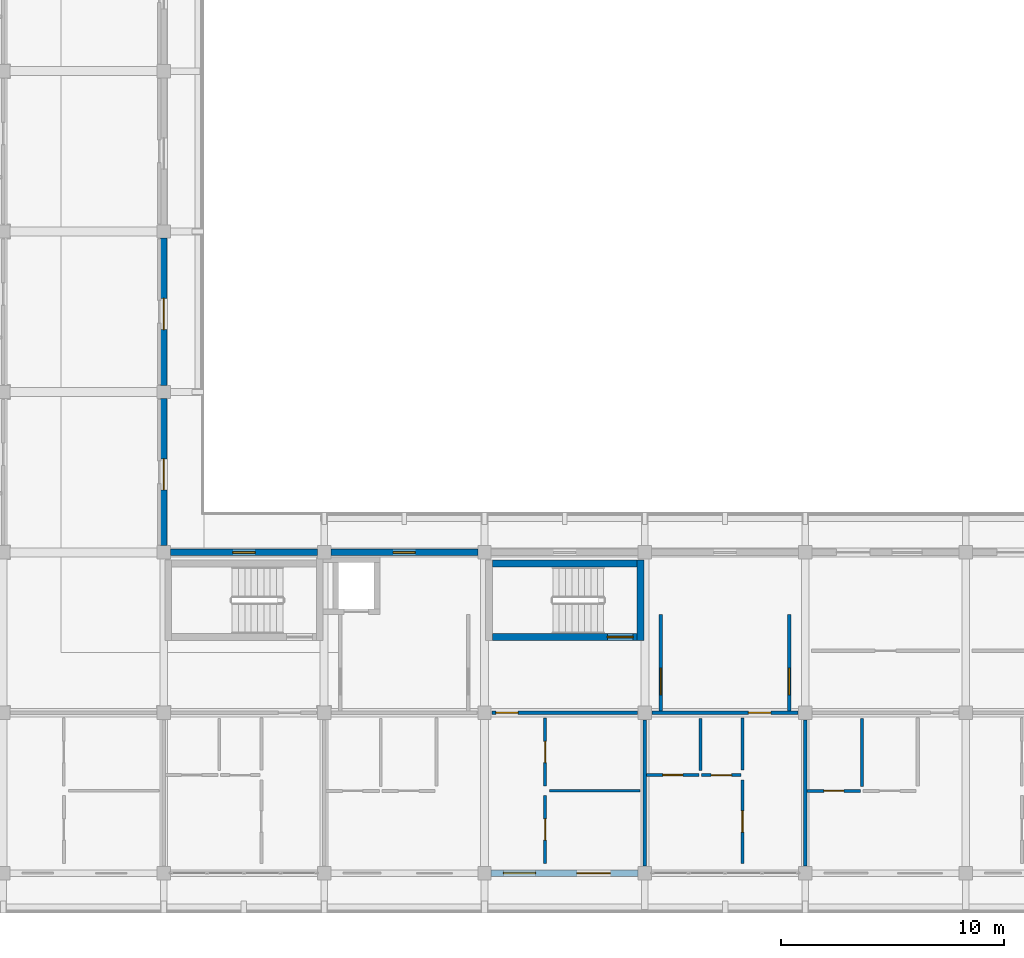
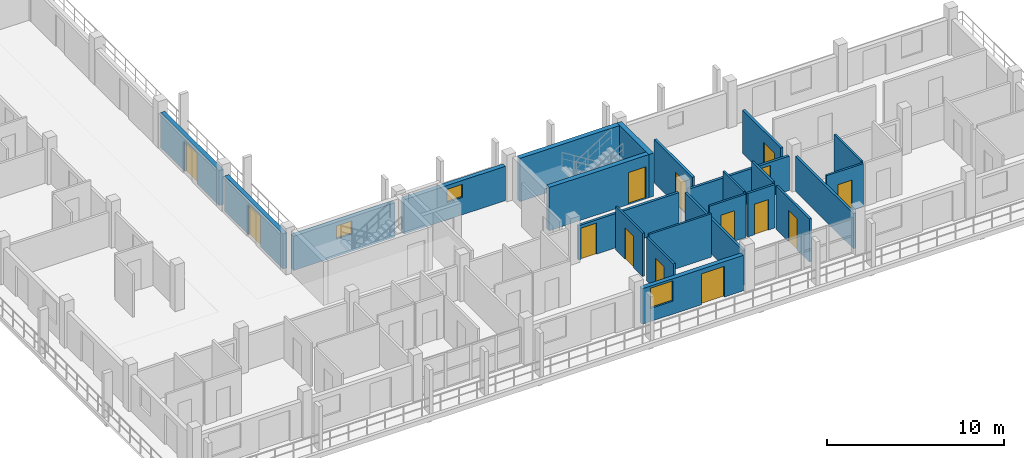
# One storey, part 40 of 76: 24 walls, 14 doors, 3 windows, 17 openings.
"""IFC4 building model written with IfcOpenShell, lengths in metres."""

from ifc_helpers import new_model, si_unit, direction, frame, frame_2d, origin, place, context, subcontext, project, spatial, rectangle, extrude, material, layer, layer_set, type_object, element, fill, save


model = new_model("IFC4")

# Units and contexts
model_context = context("Model", 3, precision=1e-05, world=origin(), true_north=direction((0.0, 1.0)))
body_context = subcontext(model_context, "Body", "Model", "MODEL_VIEW")
ifc_project = project(units=[si_unit("LENGTHUNIT", "METRE"), si_unit("AREAUNIT", "SQUARE_METRE"), si_unit("VOLUMEUNIT", "CUBIC_METRE"), si_unit("PLANEANGLEUNIT", "RADIAN"), si_unit("MASSUNIT", "GRAM", prefix="KILO")], contexts=[model_context])

# Site, building, storey
site_placement = place(None, origin())
site = spatial("IfcSite", under=ifc_project, at=site_placement, CompositionType="ELEMENT")
building_placement = place(site_placement, origin())
building = spatial("IfcBuilding", under=site, at=building_placement, Name="Suanplinth Sawtooth Commons", CompositionType="ELEMENT")
storey_placement = place(building_placement, frame((0.0, 0.0, 12.199951171875)))
storey = spatial("IfcBuildingStorey", under=building, at=storey_placement, Name="L03", CompositionType="ELEMENT", Elevation=12.199951171875)

# Wall, opening, door
ifc_material_1 = material(Name="Concrete C40/50", Category="concrete")
ifc_layer_1 = layer(ifc_material_1, 0.300048828125, Name="Standard RC stair and lift core wall 300mm")
ifc_layer_set_1 = layer_set([ifc_layer_1], Name="Concrete C40/50")
wall_type_1 = type_object("IfcWallType", Name="W-CR02", PredefinedType="SHEAR", material=ifc_layer_set_1)
wall_1_placement = place(storey_placement, frame((29.14990234375, 10.60009765625, 0.0), z_axis=(0.0, 0.0, 1.0), x_axis=(1.0, 0.0, 0.0)))
wall_1 = element("IfcWall", 1, at=wall_1_placement, inside=storey, type_object=wall_type_1, Name="W-L03-C-D2-STS", PredefinedType="SHEAR", context=body_context, shape_type="SweptSolid", body=[
    extrude(rectangle(XDim=6.5, YDim=0.300048828125, at=frame_2d((3.25, 0.0))), origin(), (0.0, 0.0, 1.0), 2.97998046875),
])
opening_1_placement = place(wall_1_placement, frame((5.169921875, 0.0, 0.0)))
opening_1 = element("IfcOpeningElement", 2, at=opening_1_placement, cuts=wall_1, Name="Opening FD0409", PredefinedType="OPENING", context=body_context, shape_type="SweptSolid", body=[
    extrude(rectangle(XDim=1.14990234375, YDim=2.199951171875, at=frame_2d((0.574951171875, 1.10009765625))), frame((0.0, 0.1650390625, 0.0), z_axis=(0.0, -1.0, 0.0), x_axis=(1.0, 0.0, 0.0)), (0.0, 0.0, 1.0), 0.329833984375),
])
ifc_material_2 = material(Name="Teak hardwood fire-rated door assembly", Category="wood")
door_type_1 = type_object("IfcDoorType", Name="FD-01", OperationType="NOTDEFINED", PredefinedType="DOOR", material=ifc_material_2)
door_1_placement = place(opening_1_placement, origin())
door_1 = element("IfcDoor", 3, at=door_1_placement, inside=storey, type_object=door_type_1, Name="Exit Stair Fire Door FD0409", OperationType="SINGLE_SWING_RIGHT", OverallHeight=2.199951171875, OverallWidth=1.14990234375, PredefinedType="DOOR", context=body_context, shape_type="SweptSolid", body=[
    extrude(rectangle(XDim=1.14990234375, YDim=2.199951171875, at=frame_2d((0.574951171875, 1.10009765625))), frame((0.0, 0.02490234375, 0.0), z_axis=(0.0, -1.0, 0.0), x_axis=(1.0, 0.0, 0.0)), (0.0, 0.0, 1.0), 0.050048828125),
])
fill(opening_1, door_1)

# Walls
wall_2_placement = place(storey_placement, frame((29.14990234375, 13.89990234375, 0.0), z_axis=(0.0, 0.0, 1.0), x_axis=(1.0, 0.0, 0.0)))
element("IfcWall", 4, at=wall_2_placement, inside=storey, type_object=wall_type_1, Name="W-L03-C-D2-STN", PredefinedType="SHEAR", context=body_context, shape_type="SweptSolid", body=[
    extrude(rectangle(XDim=6.5, YDim=0.300048828125, at=frame_2d((3.25, 0.0))), origin(), (0.0, 0.0, 1.0), 2.97998046875),
])
wall_3_placement = place(storey_placement, frame((35.800048828125, 10.449951171875, 0.0), z_axis=(0.0, 0.0, 1.0), x_axis=(0.0, 1.0, 0.0)))
element("IfcWall", 5, at=wall_3_placement, inside=storey, type_object=wall_type_1, Name="W-L03-C-D2-STE", PredefinedType="SHEAR", context=body_context, shape_type="SweptSolid", body=[
    extrude(rectangle(XDim=3.60009765625, YDim=0.300048828125, at=frame_2d((1.800048828125, 0.0))), origin(), (0.0, 0.0, 1.0), 2.97998046875),
])

# Wall, opening, door
ifc_material_3 = material(Name="Precast concrete C40/50", Category="concrete")
ifc_layer_2 = layer(ifc_material_3, 0.280029296875, Name="Insulated precast architectural facade wall 280mm")
ifc_layer_set_2 = layer_set([ifc_layer_2], Name="Precast concrete C40/50")
wall_type_2 = type_object("IfcWallType", Name="W-EX01", PredefinedType="ELEMENTEDWALL", material=ifc_layer_set_2)
wall_4_placement = place(storey_placement, frame((14.39990234375, 14.699951171875, 0.0), z_axis=(0.0, 0.0, 1.0), x_axis=(0.0, 1.0, 0.0)))
wall_4 = element("IfcWall", 6, at=wall_4_placement, inside=storey, type_object=wall_type_2, Name="Facade Wall W-L03-D-E-1-2", PredefinedType="ELEMENTEDWALL", context=body_context, shape_type="SweptSolid", body=[
    extrude(rectangle(XDim=6.60009765625, YDim=0.280029296875, at=frame_2d((3.300048828125, 0.0))), origin(), (0.0, 0.0, 1.0), 2.4150390625),
])
opening_2_placement = place(wall_4_placement, frame((2.5, 0.0, 0.0)))
opening_2 = element("IfcOpeningElement", 7, at=opening_2_placement, cuts=wall_4, Name="Opening ED0298", PredefinedType="OPENING", context=body_context, shape_type="SweptSolid", body=[
    extrude(rectangle(XDim=1.39990234375, YDim=2.10009765625, at=frame_2d((0.699951171875, 1.050048828125))), frame((0.0, 0.15478515625, 0.0), z_axis=(0.0, -1.0, 0.0), x_axis=(1.0, 0.0, 0.0)), (0.0, 0.0, 1.0), 0.309814453125),
])
ifc_material_4 = material(Name="Anodized aluminium and low-E glass", Category="aluminium")
door_type_2 = type_object("IfcDoorType", Name="SD-07", OperationType="SLIDING_TO_RIGHT", PredefinedType="DOOR", material=ifc_material_4)
door_2_placement = place(opening_2_placement, frame((1.39990234375, 0.0, 0.0), z_axis=(0.0, 0.0, 1.0), x_axis=(-1.0, 0.0, 0.0)))
door_2 = element("IfcDoor", 8, at=door_2_placement, inside=storey, type_object=door_type_2, Name="Courtyard Veranda Studio Balcony Door L03-D-2", OperationType="SLIDING_TO_RIGHT", OverallHeight=2.10009765625, OverallWidth=1.39990234375, PredefinedType="DOOR", context=body_context, shape_type="SweptSolid", body=[
    extrude(rectangle(XDim=1.39990234375, YDim=2.10009765625, at=frame_2d((0.699951171875, 1.050048828125))), frame((0.0, 0.02490234375, 0.0), z_axis=(0.0, -1.0, 0.0), x_axis=(1.0, 0.0, 0.0)), (0.0, 0.0, 1.0), 0.050048828125),
])
fill(opening_2, door_2)

wall_5_placement = place(storey_placement, frame((14.39990234375, 21.89990234375, 0.0), z_axis=(0.0, 0.0, 1.0), x_axis=(0.0, 1.0, 0.0)))
wall_5 = element("IfcWall", 9, at=wall_5_placement, inside=storey, type_object=wall_type_2, Name="Facade Wall W-L03-D-E-1-3", PredefinedType="ELEMENTEDWALL", context=body_context, shape_type="SweptSolid", body=[
    extrude(rectangle(XDim=6.60009765625, YDim=0.280029296875, at=frame_2d((3.300048828125, 0.0))), origin(), (0.0, 0.0, 1.0), 2.4150390625),
])
opening_3_placement = place(wall_5_placement, frame((2.5, 0.0, 0.0)))
opening_3 = element("IfcOpeningElement", 10, at=opening_3_placement, cuts=wall_5, Name="Opening ED0299", PredefinedType="OPENING", context=body_context, shape_type="SweptSolid", body=[
    extrude(rectangle(XDim=1.39990234375, YDim=2.10009765625, at=frame_2d((0.699951171875, 1.050048828125))), frame((0.0, 0.15478515625, 0.0), z_axis=(0.0, -1.0, 0.0), x_axis=(1.0, 0.0, 0.0)), (0.0, 0.0, 1.0), 0.309814453125),
])
door_3_placement = place(opening_3_placement, frame((1.39990234375, 0.0, 0.0), z_axis=(0.0, 0.0, 1.0), x_axis=(-1.0, 0.0, 0.0)))
door_3 = element("IfcDoor", 11, at=door_3_placement, inside=storey, type_object=door_type_2, Name="Courtyard Veranda Studio Balcony Door L03-D-3", OperationType="SLIDING_TO_RIGHT", OverallHeight=2.10009765625, OverallWidth=1.39990234375, PredefinedType="DOOR", context=body_context, shape_type="SweptSolid", body=[
    extrude(rectangle(XDim=1.39990234375, YDim=2.10009765625, at=frame_2d((0.699951171875, 1.050048828125))), frame((0.0, 0.02490234375, 0.0), z_axis=(0.0, -1.0, 0.0), x_axis=(1.0, 0.0, 0.0)), (0.0, 0.0, 1.0), 0.050048828125),
])
fill(opening_3, door_3)

# Wall, opening, window
wall_6_placement = place(storey_placement, frame((14.699951171875, 14.39990234375, 0.0), z_axis=(0.0, 0.0, 1.0), x_axis=(1.0, 0.0, 0.0)))
wall_6 = element("IfcWall", 12, at=wall_6_placement, inside=storey, type_object=wall_type_2, Name="Facade Wall W-L03-D-N-2-1", PredefinedType="ELEMENTEDWALL", context=body_context, shape_type="SweptSolid", body=[
    extrude(rectangle(XDim=6.60009765625, YDim=0.280029296875, at=frame_2d((3.300048828125, 0.0))), origin(), (0.0, 0.0, 1.0), 2.364990234375),
])
opening_4_placement = place(wall_6_placement, frame((2.800048828125, 0.0, 1.199951171875)))
opening_4 = element("IfcOpeningElement", 13, at=opening_4_placement, cuts=wall_6, Name="Opening W0402", PredefinedType="OPENING", context=body_context, shape_type="SweptSolid", body=[
    extrude(rectangle(XDim=1.0, YDim=0.89990234375, at=frame_2d((0.5, 0.449951171875))), frame((0.0, 0.15478515625, 0.0), z_axis=(0.0, -1.0, 0.0), x_axis=(1.0, 0.0, 0.0)), (0.0, 0.0, 1.0), 0.309814453125),
])
ifc_material_5 = material(Name="Thermally broken aluminium and low-E double glazing", Category="aluminium")
window_type_1 = type_object("IfcWindowType", Name="WN-12", PartitioningType="SINGLE_PANEL", PredefinedType="WINDOW", material=ifc_material_5)
window_1_placement = place(opening_4_placement, origin())
window_1 = element("IfcWindow", 14, at=window_1_placement, inside=storey, type_object=window_type_1, Name="Core Daylight Window L03-D-2-1", OverallHeight=0.89990234375, OverallWidth=1.0, PartitioningType="SINGLE_PANEL", PredefinedType="WINDOW", context=body_context, shape_type="SweptSolid", body=[
    extrude(rectangle(XDim=1.0, YDim=0.89990234375, at=frame_2d((0.5, 0.449951171875))), frame((0.0, 0.030029296875, 0.0), z_axis=(0.0, -1.0, 0.0), x_axis=(1.0, 0.0, 0.0)), (0.0, 0.0, 1.0), 0.06005859375),
])
fill(opening_4, window_1)

wall_7_placement = place(storey_placement, frame((21.89990234375, 14.39990234375, 0.0), z_axis=(0.0, 0.0, 1.0), x_axis=(1.0, 0.0, 0.0)))
wall_7 = element("IfcWall", 15, at=wall_7_placement, inside=storey, type_object=wall_type_2, Name="Facade Wall W-L03-D-N-3-1", PredefinedType="ELEMENTEDWALL", context=body_context, shape_type="SweptSolid", body=[
    extrude(rectangle(XDim=6.60009765625, YDim=0.280029296875, at=frame_2d((3.300048828125, 0.0))), origin(), (0.0, 0.0, 1.0), 2.364990234375),
])
opening_5_placement = place(wall_7_placement, frame((2.800048828125, 0.0, 1.199951171875)))
opening_5 = element("IfcOpeningElement", 16, at=opening_5_placement, cuts=wall_7, Name="Opening W0404", PredefinedType="OPENING", context=body_context, shape_type="SweptSolid", body=[
    extrude(rectangle(XDim=1.0, YDim=0.89990234375, at=frame_2d((0.5, 0.449951171875))), frame((0.0, 0.15478515625, 0.0), z_axis=(0.0, -1.0, 0.0), x_axis=(1.0, 0.0, 0.0)), (0.0, 0.0, 1.0), 0.309814453125),
])
window_2_placement = place(opening_5_placement, origin())
window_2 = element("IfcWindow", 17, at=window_2_placement, inside=storey, type_object=window_type_1, Name="Core Daylight Window L03-D-3-1", OverallHeight=0.89990234375, OverallWidth=1.0, PartitioningType="SINGLE_PANEL", PredefinedType="WINDOW", context=body_context, shape_type="SweptSolid", body=[
    extrude(rectangle(XDim=1.0, YDim=0.89990234375, at=frame_2d((0.5, 0.449951171875))), frame((0.0, 0.030029296875, 0.0), z_axis=(0.0, -1.0, 0.0), x_axis=(1.0, 0.0, 0.0)), (0.0, 0.0, 1.0), 0.06005859375),
])
fill(opening_5, window_2)

# Wall, openings, door, window
wall_8_placement = place(storey_placement, frame((29.10009765625, 0.0, 0.0), z_axis=(0.0, 0.0, 1.0), x_axis=(1.0, 0.0, 0.0)))
wall_8 = element("IfcWall", 18, at=wall_8_placement, inside=storey, type_object=wall_type_2, Name="Facade Wall W-L03-D-S-4-0", PredefinedType="ELEMENTEDWALL", context=body_context, shape_type="SweptSolid", body=[
    extrude(rectangle(XDim=6.599853515625, YDim=0.280029296875, at=frame_2d((3.2998046875, 0.0))), origin(), (0.0, 0.0, 1.0), 2.445068359375),
])
opening_6_placement = place(wall_8_placement, frame((3.85009765625, 0.0, 0.0)))
opening_6 = element("IfcOpeningElement", 19, at=opening_6_placement, cuts=wall_8, Name="Opening ED0303", PredefinedType="OPENING", context=body_context, shape_type="SweptSolid", body=[
    extrude(rectangle(XDim=1.5, YDim=2.1201171875, at=frame_2d((0.75, 1.06005859375))), frame((0.0, 0.15478515625, 0.0), z_axis=(0.0, -1.0, 0.0), x_axis=(1.0, 0.0, 0.0)), (0.0, 0.0, 1.0), 0.309814453125),
])
opening_7_placement = place(wall_8_placement, frame((0.550048828125, 0.0, 0.89990234375)))
opening_7 = element("IfcOpeningElement", 20, at=opening_7_placement, cuts=wall_8, Name="Opening W0405", PredefinedType="OPENING", context=body_context, shape_type="SweptSolid", body=[
    extrude(rectangle(XDim=1.449951171875, YDim=1.39990234375, at=frame_2d((0.72509765625, 0.699951171875))), frame((0.0, 0.15478515625, 0.0), z_axis=(0.0, -1.0, 0.0), x_axis=(1.0, 0.0, 0.0)), (0.0, 0.0, 1.0), 0.309814453125),
])
door_type_3 = type_object("IfcDoorType", Name="SD-03", OperationType="SLIDING_TO_LEFT", PredefinedType="DOOR", material=ifc_material_4)
door_4_placement = place(opening_6_placement, frame((1.5, 0.0, 0.0), z_axis=(0.0, 0.0, 1.0), x_axis=(-1.0, 0.0, 0.0)))
door_4 = element("IfcDoor", 21, at=door_4_placement, inside=storey, type_object=door_type_3, Name="Balcony Sliding Door L03-D-4", OperationType="SLIDING_TO_LEFT", OverallHeight=2.1201171875, OverallWidth=1.5, PredefinedType="DOOR", context=body_context, shape_type="SweptSolid", body=[
    extrude(rectangle(XDim=1.5, YDim=2.1201171875, at=frame_2d((0.75, 1.06005859375))), frame((0.0, 0.02490234375, 0.0), z_axis=(0.0, -1.0, 0.0), x_axis=(1.0, 0.0, 0.0)), (0.0, 0.0, 1.0), 0.050048828125),
])
fill(opening_6, door_4)
window_type_2 = type_object("IfcWindowType", Name="WN-16", PartitioningType="DOUBLE_PANEL_VERTICAL", PredefinedType="WINDOW", material=ifc_material_5)
window_3_placement = place(opening_7_placement, origin())
window_3 = element("IfcWindow", 22, at=window_3_placement, inside=storey, type_object=window_type_2, Name="Apartment Window L03-D-4", OverallHeight=1.39990234375, OverallWidth=1.449951171875, PartitioningType="DOUBLE_PANEL_VERTICAL", PredefinedType="WINDOW", context=body_context, shape_type="SweptSolid", body=[
    extrude(rectangle(XDim=1.449951171875, YDim=1.39990234375, at=frame_2d((0.72509765625, 0.699951171875))), frame((0.0, 0.030029296875, 0.0), z_axis=(0.0, -1.0, 0.0), x_axis=(1.0, 0.0, 0.0)), (0.0, 0.0, 1.0), 0.06005859375),
])
fill(opening_7, window_3)

# Wall, opening, door
ifc_layer_3 = layer(ifc_material_3, 0.159912109375, Name="Fire-rated corridor and lobby wall 160mm")
ifc_layer_set_3 = layer_set([ifc_layer_3], Name="Precast concrete C40/50")
wall_type_3 = type_object("IfcWallType", Name="W-FW01", PredefinedType="PARTITIONING", material=ifc_layer_set_3)
wall_9_placement = place(storey_placement, frame((36.719970703125, 7.280029296875, 0.0), z_axis=(0.0, 0.0, 1.0), x_axis=(0.0, 1.0, 0.0)))
wall_9 = element("IfcWall", 23, at=wall_9_placement, inside=storey, type_object=wall_type_3, Name="W-L03-C-D2-LOB-W", PredefinedType="PARTITIONING", context=body_context, shape_type="SweptSolid", body=[
    extrude(rectangle(XDim=4.320068359375, YDim=0.159912109375, at=frame_2d((2.16015625, 0.0))), origin(), (0.0, 0.0, 1.0), 2.97998046875),
])
opening_8_placement = place(wall_9_placement, frame((0.719970703125, 0.0, 0.0)))
opening_8 = element("IfcOpeningElement", 24, at=opening_8_placement, cuts=wall_9, Name="Opening FD0410", PredefinedType="OPENING", context=body_context, shape_type="SweptSolid", body=[
    extrude(rectangle(XDim=1.199951171875, YDim=2.199951171875, at=frame_2d((0.60009765625, 1.10009765625))), frame((0.0, 0.0947265625, 0.0), z_axis=(0.0, -1.0, 0.0), x_axis=(1.0, 0.0, 0.0)), (0.0, 0.0, 1.0), 0.189697265625),
])
door_type_4 = type_object("IfcDoorType", Name="FD-02", OperationType="NOTDEFINED", PredefinedType="DOOR", material=ifc_material_2)
door_5_placement = place(opening_8_placement, origin())
door_5 = element("IfcDoor", 25, at=door_5_placement, inside=storey, type_object=door_type_4, Name="Lobby Fire Door FD0410", OperationType="SINGLE_SWING_LEFT", OverallHeight=2.199951171875, OverallWidth=1.199951171875, PredefinedType="DOOR", context=body_context, shape_type="SweptSolid", body=[
    extrude(rectangle(XDim=1.199951171875, YDim=2.199951171875, at=frame_2d((0.60009765625, 1.10009765625))), frame((0.0, 0.02490234375, 0.0), z_axis=(0.0, -1.0, 0.0), x_axis=(1.0, 0.0, 0.0)), (0.0, 0.0, 1.0), 0.050048828125),
])
fill(opening_8, door_5)

wall_10_placement = place(storey_placement, frame((42.47998046875, 7.280029296875, 0.0), z_axis=(0.0, 0.0, 1.0), x_axis=(0.0, 1.0, 0.0)))
wall_10 = element("IfcWall", 26, at=wall_10_placement, inside=storey, type_object=wall_type_3, Name="W-L03-C-D2-LOB-E", PredefinedType="PARTITIONING", context=body_context, shape_type="SweptSolid", body=[
    extrude(rectangle(XDim=4.320068359375, YDim=0.159912109375, at=frame_2d((2.16015625, 0.0))), origin(), (0.0, 0.0, 1.0), 2.97998046875),
])
opening_9_placement = place(wall_10_placement, frame((0.719970703125, 0.0, 0.0)))
opening_9 = element("IfcOpeningElement", 27, at=opening_9_placement, cuts=wall_10, Name="Opening FD0411", PredefinedType="OPENING", context=body_context, shape_type="SweptSolid", body=[
    extrude(rectangle(XDim=1.199951171875, YDim=2.199951171875, at=frame_2d((0.60009765625, 1.10009765625))), frame((0.0, 0.0947265625, 0.0), z_axis=(0.0, -1.0, 0.0), x_axis=(1.0, 0.0, 0.0)), (0.0, 0.0, 1.0), 0.189697265625),
])
door_6_placement = place(opening_9_placement, frame((1.199951171875, 0.0, 0.0), z_axis=(0.0, 0.0, 1.0), x_axis=(-1.0, 0.0, 0.0)))
door_6 = element("IfcDoor", 28, at=door_6_placement, inside=storey, type_object=door_type_4, Name="Lobby Fire Door FD0411", OperationType="SINGLE_SWING_RIGHT", OverallHeight=2.199951171875, OverallWidth=1.199951171875, PredefinedType="DOOR", context=body_context, shape_type="SweptSolid", body=[
    extrude(rectangle(XDim=1.199951171875, YDim=2.199951171875, at=frame_2d((0.60009765625, 1.10009765625))), frame((0.0, 0.02490234375, 0.0), z_axis=(0.0, -1.0, 0.0), x_axis=(1.0, 0.0, 0.0)), (0.0, 0.0, 1.0), 0.050048828125),
])
fill(opening_9, door_6)

wall_11_placement = place(storey_placement, frame((29.1298828125, 7.199951171875, 0.0), z_axis=(0.0, 0.0, 1.0), x_axis=(1.0, 0.0, 0.0)))
wall_11 = element("IfcWall", 29, at=wall_11_placement, inside=storey, type_object=wall_type_3, Name="W-D-L03-U03-COR-S2", PredefinedType="PARTITIONING", context=body_context, shape_type="SweptSolid", body=[
    extrude(rectangle(XDim=6.5400390625, YDim=0.159912109375, at=frame_2d((3.27001953125, 0.0))), origin(), (0.0, 0.0, 1.0), 2.364990234375),
])
opening_10_placement = place(wall_11_placement, frame((0.179931640625, 0.0, 0.0)))
opening_10 = element("IfcOpeningElement", 30, at=opening_10_placement, cuts=wall_11, Name="Opening FD1013", PredefinedType="OPENING", context=body_context, shape_type="SweptSolid", body=[
    extrude(rectangle(XDim=1.0, YDim=2.14990234375, at=frame_2d((0.5, 1.074951171875))), frame((0.0, 0.0947265625, 0.0), z_axis=(0.0, -1.0, 0.0), x_axis=(1.0, 0.0, 0.0)), (0.0, 0.0, 1.0), 0.189697265625),
])
door_type_5 = type_object("IfcDoorType", Name="FD-03", OperationType="NOTDEFINED", PredefinedType="DOOR", material=ifc_material_2)
door_7_placement = place(opening_10_placement, frame((1.0, 0.0, 0.0), z_axis=(0.0, 0.0, 1.0), x_axis=(-1.0, 0.0, 0.0)))
door_7 = element("IfcDoor", 31, at=door_7_placement, inside=storey, type_object=door_type_5, Name="Unit Entrance Door FD1013", OperationType="SINGLE_SWING_LEFT", OverallHeight=2.14990234375, OverallWidth=1.0, PredefinedType="DOOR", context=body_context, shape_type="SweptSolid", body=[
    extrude(rectangle(XDim=1.0, YDim=2.14990234375, at=frame_2d((0.5, 1.074951171875))), frame((0.0, 0.02490234375, 0.0), z_axis=(0.0, -1.0, 0.0), x_axis=(1.0, 0.0, 0.0)), (0.0, 0.0, 1.0), 0.050048828125),
])
fill(opening_10, door_7)

wall_12_placement = place(storey_placement, frame((36.330078125, 7.199951171875, 0.0), z_axis=(0.0, 0.0, 1.0), x_axis=(1.0, 0.0, 0.0)))
wall_12 = element("IfcWall", 32, at=wall_12_placement, inside=storey, type_object=wall_type_3, Name="W-D-L03-U04-COR", PredefinedType="PARTITIONING", context=body_context, shape_type="SweptSolid", body=[
    extrude(rectangle(XDim=6.5400390625, YDim=0.159912109375, at=frame_2d((3.27001953125, 0.0))), origin(), (0.0, 0.0, 1.0), 2.364990234375),
])
opening_11_placement = place(wall_12_placement, frame((4.320068359375, 0.0, 0.0)))
opening_11 = element("IfcOpeningElement", 33, at=opening_11_placement, cuts=wall_12, Name="Opening FD1018", PredefinedType="OPENING", context=body_context, shape_type="SweptSolid", body=[
    extrude(rectangle(XDim=1.0, YDim=2.14990234375, at=frame_2d((0.5, 1.074951171875))), frame((0.0, 0.0947265625, 0.0), z_axis=(0.0, -1.0, 0.0), x_axis=(1.0, 0.0, 0.0)), (0.0, 0.0, 1.0), 0.189697265625),
])
door_8_placement = place(opening_11_placement, frame((1.0, 0.0, 0.0), z_axis=(0.0, 0.0, 1.0), x_axis=(-1.0, 0.0, 0.0)))
door_8 = element("IfcDoor", 34, at=door_8_placement, inside=storey, type_object=door_type_5, Name="Unit Entrance Door FD1018", OperationType="SINGLE_SWING_RIGHT", OverallHeight=2.14990234375, OverallWidth=1.0, PredefinedType="DOOR", context=body_context, shape_type="SweptSolid", body=[
    extrude(rectangle(XDim=1.0, YDim=2.14990234375, at=frame_2d((0.5, 1.074951171875))), frame((0.0, 0.02490234375, 0.0), z_axis=(0.0, -1.0, 0.0), x_axis=(1.0, 0.0, 0.0)), (0.0, 0.0, 1.0), 0.050048828125),
])
fill(opening_11, door_8)

# Walls
ifc_layer_4 = layer(ifc_material_3, 0.14990234375, Name="Acoustic precast party demising wall 150mm")
ifc_layer_set_4 = layer_set([ifc_layer_4], Name="Precast concrete C40/50")
wall_type_4 = type_object("IfcWallType", Name="W-FW02", PredefinedType="PARTITIONING", material=ifc_layer_set_4)
for number, where, z_axis, x_axis, name in (
    (35, (36.0, 0.330078125, 0.0), (0.0, 0.0, 1.0), (0.0, 1.0, 0.0), "W-D-L03-U03-PTY"),
    (36, (43.199951171875, 0.330078125, 0.0), (0.0, 0.0, 1.0), (0.0, 1.0, 0.0), "W-D-L03-U04-PTY"),
):
    element("IfcWall", number, at=place(storey_placement, frame(where, z_axis=z_axis, x_axis=x_axis)), inside=storey, type_object=wall_type_4, Name=name, PredefinedType="PARTITIONING", context=body_context, shape_type="SweptSolid", body=[
        extrude(rectangle(XDim=6.5400390625, YDim=0.14990234375, at=frame_2d((3.27001953125, 0.0))), origin(), (0.0, 0.0, 1.0), 2.4150390625),
    ])

# Wall, opening, door
ifc_material_6 = material(Name="Gypsum plasterboard on steel stud", Category="steel")
ifc_layer_5 = layer(ifc_material_6, 0.139892578125, Name="Fire-rated kitchen partition 140mm")
ifc_layer_set_5 = layer_set([ifc_layer_5], Name="Gypsum plasterboard on steel stud")
wall_type_5 = type_object("IfcWallType", Name="W-PT01", PredefinedType="PARTITIONING", material=ifc_layer_set_5)
wall_13_placement = place(storey_placement, frame((38.550048828125, 4.39990234375, 0.0), z_axis=(0.0, 0.0, 1.0), x_axis=(1.0, 0.0, 0.0)))
wall_13 = element("IfcWall", 37, at=wall_13_placement, inside=storey, type_object=wall_type_5, Name="W-D-L03-U04-KIT1", PredefinedType="PARTITIONING", context=body_context, shape_type="SweptSolid", body=[
    extrude(rectangle(XDim=1.77001953125, YDim=0.139892578125, at=frame_2d((0.885009765625, 0.0))), origin(), (0.0, 0.0, 1.0), 2.97998046875),
])
opening_12_placement = place(wall_13_placement, frame((0.425048828125, 0.0, 0.0)))
opening_12 = element("IfcOpeningElement", 38, at=opening_12_placement, cuts=wall_13, Name="Opening D1020", PredefinedType="OPENING", context=body_context, shape_type="SweptSolid", body=[
    extrude(rectangle(XDim=0.919921875, YDim=2.10009765625, at=frame_2d((0.4599609375, 1.050048828125))), frame((0.0, 0.0849609375, 0.0), z_axis=(0.0, -1.0, 0.0), x_axis=(1.0, 0.0, 0.0)), (0.0, 0.0, 1.0), 0.169677734375),
])
ifc_material_7 = material(Name="Teak hardwood", Category="wood")
door_type_6 = type_object("IfcDoorType", Name="D-02", OperationType="NOTDEFINED", PredefinedType="DOOR", material=ifc_material_7)
door_9_placement = place(opening_12_placement, origin())
door_9 = element("IfcDoor", 39, at=door_9_placement, inside=storey, type_object=door_type_6, Name="Kitchen Door D1020", OperationType="SINGLE_SWING_RIGHT", OverallHeight=2.10009765625, OverallWidth=0.919921875, PredefinedType="DOOR", context=body_context, shape_type="SweptSolid", body=[
    extrude(rectangle(XDim=0.919921875, YDim=2.10009765625, at=frame_2d((0.4599609375, 1.050048828125))), frame((0.0, 0.02490234375, 0.0), z_axis=(0.0, -1.0, 0.0), x_axis=(1.0, 0.0, 0.0)), (0.0, 0.0, 1.0), 0.050048828125),
])
fill(opening_12, door_9)

# Wall
wall_14_placement = place(storey_placement, frame((40.389892578125, 4.6201171875, 0.0), z_axis=(0.0, 0.0, 1.0), x_axis=(0.0, 1.0, 0.0)))
element("IfcWall", 40, at=wall_14_placement, inside=storey, type_object=wall_type_5, Name="W-D-L03-U04-KIT2", PredefinedType="PARTITIONING", context=body_context, shape_type="SweptSolid", body=[
    extrude(rectangle(XDim=2.349853515625, YDim=0.139892578125, at=frame_2d((1.1748046875, 0.0))), origin(), (0.0, 0.0, 1.0), 2.97998046875),
])

# Wall, opening, door
ifc_layer_6 = layer(ifc_material_6, 0.1298828125, Name="Moisture-resistant bathroom partition 130mm")
ifc_layer_set_6 = layer_set([ifc_layer_6], Name="Gypsum plasterboard on steel stud")
wall_type_6 = type_object("IfcWallType", Name="W-PT02", PredefinedType="PARTITIONING", material=ifc_layer_set_6)
wall_15_placement = place(storey_placement, frame((36.080078125, 4.405029296875, 0.0), z_axis=(0.0, 0.0, 1.0), x_axis=(1.0, 0.0, 0.0)))
wall_15 = element("IfcWall", 41, at=wall_15_placement, inside=storey, type_object=wall_type_6, Name="W-D-L03-U04-BTH1", PredefinedType="PARTITIONING", context=body_context, shape_type="SweptSolid", body=[
    extrude(rectangle(XDim=2.349853515625, YDim=0.1298828125, at=frame_2d((1.1748046875, 0.0))), origin(), (0.0, 0.0, 1.0), 2.97998046875),
])
opening_13_placement = place(wall_15_placement, frame((0.72509765625, 0.0, 0.0)))
opening_13 = element("IfcOpeningElement", 42, at=opening_13_placement, cuts=wall_15, Name="Opening D1019", PredefinedType="OPENING", context=body_context, shape_type="SweptSolid", body=[
    extrude(rectangle(XDim=0.89990234375, YDim=2.10009765625, at=frame_2d((0.449951171875, 1.050048828125))), frame((0.0, 0.079833984375, 0.0), z_axis=(0.0, -1.0, 0.0), x_axis=(1.0, 0.0, 0.0)), (0.0, 0.0, 1.0), 0.15966796875),
])
door_type_7 = type_object("IfcDoorType", Name="D-01", OperationType="NOTDEFINED", PredefinedType="DOOR", material=ifc_material_7)
door_10_placement = place(opening_13_placement, origin())
door_10 = element("IfcDoor", 43, at=door_10_placement, inside=storey, type_object=door_type_7, Name="Bathroom Door D1019", OperationType="SINGLE_SWING_LEFT", OverallHeight=2.10009765625, OverallWidth=0.89990234375, PredefinedType="DOOR", context=body_context, shape_type="SweptSolid", body=[
    extrude(rectangle(XDim=0.89990234375, YDim=2.10009765625, at=frame_2d((0.449951171875, 1.050048828125))), frame((0.0, 0.02490234375, 0.0), z_axis=(0.0, -1.0, 0.0), x_axis=(1.0, 0.0, 0.0)), (0.0, 0.0, 1.0), 0.050048828125),
])
fill(opening_13, door_10)

# Wall
wall_16_placement = place(storey_placement, frame((38.4951171875, 4.610107421875, 0.0), z_axis=(0.0, 0.0, 1.0), x_axis=(0.0, 1.0, 0.0)))
element("IfcWall", 44, at=wall_16_placement, inside=storey, type_object=wall_type_6, Name="W-D-L03-U04-BTH2", PredefinedType="PARTITIONING", context=body_context, shape_type="SweptSolid", body=[
    extrude(rectangle(XDim=2.329833984375, YDim=0.1298828125, at=frame_2d((1.1650390625, 0.0))), origin(), (0.0, 0.0, 1.0), 2.97998046875),
])

# Wall, opening, door
wall_17_placement = place(storey_placement, frame((43.280029296875, 3.695068359375, 0.0), z_axis=(0.0, 0.0, 1.0), x_axis=(1.0, 0.0, 0.0)))
wall_17 = element("IfcWall", 45, at=wall_17_placement, inside=storey, type_object=wall_type_6, Name="W-D-L03-U05-BTH1", PredefinedType="PARTITIONING", context=body_context, shape_type="SweptSolid", body=[
    extrude(rectangle(XDim=2.39990234375, YDim=0.1298828125, at=frame_2d((1.199951171875, 0.0))), origin(), (0.0, 0.0, 1.0), 2.97998046875),
])
opening_14_placement = place(wall_17_placement, frame((0.75, 0.0, 0.0)))
opening_14 = element("IfcOpeningElement", 46, at=opening_14_placement, cuts=wall_17, Name="Opening D1023", PredefinedType="OPENING", context=body_context, shape_type="SweptSolid", body=[
    extrude(rectangle(XDim=0.89990234375, YDim=2.10009765625, at=frame_2d((0.449951171875, 1.050048828125))), frame((0.0, 0.079833984375, 0.0), z_axis=(0.0, -1.0, 0.0), x_axis=(1.0, 0.0, 0.0)), (0.0, 0.0, 1.0), 0.15966796875),
])
door_11_placement = place(opening_14_placement, origin())
door_11 = element("IfcDoor", 47, at=door_11_placement, inside=storey, type_object=door_type_7, Name="Bathroom Door D1023", OperationType="SINGLE_SWING_LEFT", OverallHeight=2.10009765625, OverallWidth=0.89990234375, PredefinedType="DOOR", context=body_context, shape_type="SweptSolid", body=[
    extrude(rectangle(XDim=0.89990234375, YDim=2.10009765625, at=frame_2d((0.449951171875, 1.050048828125))), frame((0.0, 0.02490234375, 0.0), z_axis=(0.0, -1.0, 0.0), x_axis=(1.0, 0.0, 0.0)), (0.0, 0.0, 1.0), 0.050048828125),
])
fill(opening_14, door_11)

# Wall
wall_18_placement = place(storey_placement, frame((45.7451171875, 3.89990234375, 0.0), z_axis=(0.0, 0.0, 1.0), x_axis=(0.0, 1.0, 0.0)))
element("IfcWall", 48, at=wall_18_placement, inside=storey, type_object=wall_type_6, Name="W-D-L03-U05-BTH2", PredefinedType="PARTITIONING", context=body_context, shape_type="SweptSolid", body=[
    extrude(rectangle(XDim=3.0400390625, YDim=0.1298828125, at=frame_2d((1.52001953125, 0.0))), origin(), (0.0, 0.0, 1.0), 2.97998046875),
])

# Wall, opening, door
ifc_layer_7 = layer(ifc_material_6, 0.1201171875, Name="Acoustic bedroom partition 120mm")
ifc_layer_set_7 = layer_set([ifc_layer_7], Name="Gypsum plasterboard on steel stud")
wall_type_7 = type_object("IfcWallType", Name="W-PT03", PredefinedType="PARTITIONING", material=ifc_layer_set_7)
wall_19_placement = place(storey_placement, frame((31.52001953125, 3.919921875, 0.0), z_axis=(0.0, 0.0, 1.0), x_axis=(0.0, 1.0, 0.0)))
wall_19 = element("IfcWall", 49, at=wall_19_placement, inside=storey, type_object=wall_type_7, Name="W-D-L03-U03-BED2", PredefinedType="PARTITIONING", context=body_context, shape_type="SweptSolid", body=[
    extrude(rectangle(XDim=3.0400390625, YDim=0.1201171875, at=frame_2d((1.52001953125, 0.0))), origin(), (0.0, 0.0, 1.0), 2.97998046875),
])
opening_15_placement = place(wall_19_placement, frame((1.0400390625, 0.0, 0.0)))
opening_15 = element("IfcOpeningElement", 50, at=opening_15_placement, cuts=wall_19, Name="Opening D1017", PredefinedType="OPENING", context=body_context, shape_type="SweptSolid", body=[
    extrude(rectangle(XDim=0.9599609375, YDim=2.14990234375, at=frame_2d((0.47998046875, 1.074951171875))), frame((0.0, 0.074951171875, 0.0), z_axis=(0.0, -1.0, 0.0), x_axis=(1.0, 0.0, 0.0)), (0.0, 0.0, 1.0), 0.14990234375),
])
door_type_8 = type_object("IfcDoorType", Name="D-13", OperationType="NOTDEFINED", PredefinedType="DOOR", material=ifc_material_7)
door_12_placement = place(opening_15_placement, frame((0.9599609375, 0.0, 0.0), z_axis=(0.0, 0.0, 1.0), x_axis=(-1.0, 0.0, 0.0)))
door_12 = element("IfcDoor", 51, at=door_12_placement, inside=storey, type_object=door_type_8, Name="Second Bedroom Door D1017", OperationType="SINGLE_SWING_LEFT", OverallHeight=2.14990234375, OverallWidth=0.9599609375, PredefinedType="DOOR", context=body_context, shape_type="SweptSolid", body=[
    extrude(rectangle(XDim=0.9599609375, YDim=2.14990234375, at=frame_2d((0.47998046875, 1.074951171875))), frame((0.0, 0.02490234375, 0.0), z_axis=(0.0, -1.0, 0.0), x_axis=(1.0, 0.0, 0.0)), (0.0, 0.0, 1.0), 0.050048828125),
])
fill(opening_15, door_12)

# Wall
ifc_layer_8 = layer(ifc_material_6, 0.125, Name="Acoustic study partition 125mm")
ifc_layer_set_8 = layer_set([ifc_layer_8], Name="Gypsum plasterboard on steel stud")
wall_type_8 = type_object("IfcWallType", Name="W-PT06", PredefinedType="PARTITIONING", material=ifc_layer_set_8)
wall_20_placement = place(storey_placement, frame((31.719970703125, 3.699951171875, 0.0), z_axis=(0.0, 0.0, 1.0), x_axis=(1.0, 0.0, 0.0)))
element("IfcWall", 52, at=wall_20_placement, inside=storey, type_object=wall_type_8, Name="W-D-L03-U03-BEDDIV", PredefinedType="PARTITIONING", context=body_context, shape_type="SweptSolid", body=[
    extrude(rectangle(XDim=4.06005859375, YDim=0.125, at=frame_2d((2.030029296875, 0.0))), origin(), (0.0, 0.0, 1.0), 2.97998046875),
])

# Wall, opening, door
ifc_layer_9 = layer(ifc_material_6, 0.135009765625, Name="Insulated bedroom demising partition 135mm")
ifc_layer_set_9 = layer_set([ifc_layer_9], Name="Gypsum plasterboard on steel stud")
wall_type_9 = type_object("IfcWallType", Name="W-PT07", PredefinedType="PARTITIONING", material=ifc_layer_set_9)
wall_21_placement = place(storey_placement, frame((31.52001953125, 0.43994140625, 0.0), z_axis=(0.0, 0.0, 1.0), x_axis=(0.0, 1.0, 0.0)))
wall_21 = element("IfcWall", 53, at=wall_21_placement, inside=storey, type_object=wall_type_9, Name="W-D-L03-U03-BED1", PredefinedType="PARTITIONING", context=body_context, shape_type="SweptSolid", body=[
    extrude(rectangle(XDim=3.0400390625, YDim=0.135009765625, at=frame_2d((1.52001953125, 0.0))), origin(), (0.0, 0.0, 1.0), 2.97998046875),
])
opening_16_placement = place(wall_21_placement, frame((1.044921875, 0.0, 0.0)))
opening_16 = element("IfcOpeningElement", 54, at=opening_16_placement, cuts=wall_21, Name="Opening D1016", PredefinedType="OPENING", context=body_context, shape_type="SweptSolid", body=[
    extrude(rectangle(XDim=0.949951171875, YDim=2.14990234375, at=frame_2d((0.47509765625, 1.074951171875))), frame((0.0, 0.08251953125, 0.0), z_axis=(0.0, -1.0, 0.0), x_axis=(1.0, 0.0, 0.0)), (0.0, 0.0, 1.0), 0.164794921875),
])
door_type_9 = type_object("IfcDoorType", Name="D-03", OperationType="NOTDEFINED", PredefinedType="DOOR", material=ifc_material_7)
door_13_placement = place(opening_16_placement, frame((0.949951171875, 0.0, 0.0), z_axis=(0.0, 0.0, 1.0), x_axis=(-1.0, 0.0, 0.0)))
door_13 = element("IfcDoor", 55, at=door_13_placement, inside=storey, type_object=door_type_9, Name="Bedroom Door D1016", OperationType="SINGLE_SWING_RIGHT", OverallHeight=2.14990234375, OverallWidth=0.949951171875, PredefinedType="DOOR", context=body_context, shape_type="SweptSolid", body=[
    extrude(rectangle(XDim=0.949951171875, YDim=2.14990234375, at=frame_2d((0.47509765625, 1.074951171875))), frame((0.0, 0.02490234375, 0.0), z_axis=(0.0, -1.0, 0.0), x_axis=(1.0, 0.0, 0.0)), (0.0, 0.0, 1.0), 0.050048828125),
])
fill(opening_16, door_13)

wall_22_placement = place(storey_placement, frame((40.3798828125, 0.43994140625, 0.0), z_axis=(0.0, 0.0, 1.0), x_axis=(0.0, 1.0, 0.0)))
wall_22 = element("IfcWall", 56, at=wall_22_placement, inside=storey, type_object=wall_type_9, Name="W-D-L03-U04-BED1", PredefinedType="PARTITIONING", context=body_context, shape_type="SweptSolid", body=[
    extrude(rectangle(XDim=3.75, YDim=0.135009765625, at=frame_2d((1.875, 0.0))), origin(), (0.0, 0.0, 1.0), 2.97998046875),
])
opening_17_placement = place(wall_22_placement, frame((1.39990234375, 0.0, 0.0)))
opening_17 = element("IfcOpeningElement", 57, at=opening_17_placement, cuts=wall_22, Name="Opening D1021", PredefinedType="OPENING", context=body_context, shape_type="SweptSolid", body=[
    extrude(rectangle(XDim=0.949951171875, YDim=2.14990234375, at=frame_2d((0.47509765625, 1.074951171875))), frame((0.0, 0.08251953125, 0.0), z_axis=(0.0, -1.0, 0.0), x_axis=(1.0, 0.0, 0.0)), (0.0, 0.0, 1.0), 0.164794921875),
])
door_14_placement = place(opening_17_placement, origin())
door_14 = element("IfcDoor", 58, at=door_14_placement, inside=storey, type_object=door_type_9, Name="Bedroom Door D1021", OperationType="SINGLE_SWING_LEFT", OverallHeight=2.14990234375, OverallWidth=0.949951171875, PredefinedType="DOOR", context=body_context, shape_type="SweptSolid", body=[
    extrude(rectangle(XDim=0.949951171875, YDim=2.14990234375, at=frame_2d((0.47509765625, 1.074951171875))), frame((0.0, 0.02490234375, 0.0), z_axis=(0.0, -1.0, 0.0), x_axis=(1.0, 0.0, 0.0)), (0.0, 0.0, 1.0), 0.050048828125),
])
fill(opening_17, door_14)

save(model, "model.ifc")
